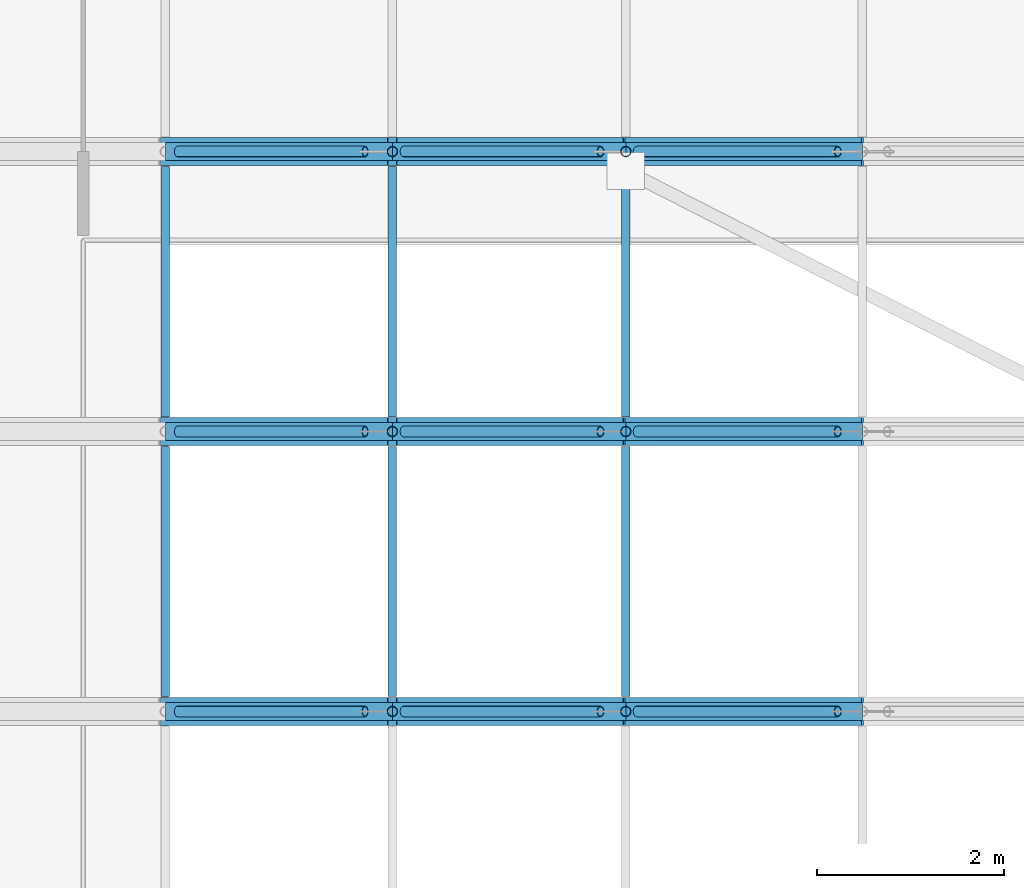
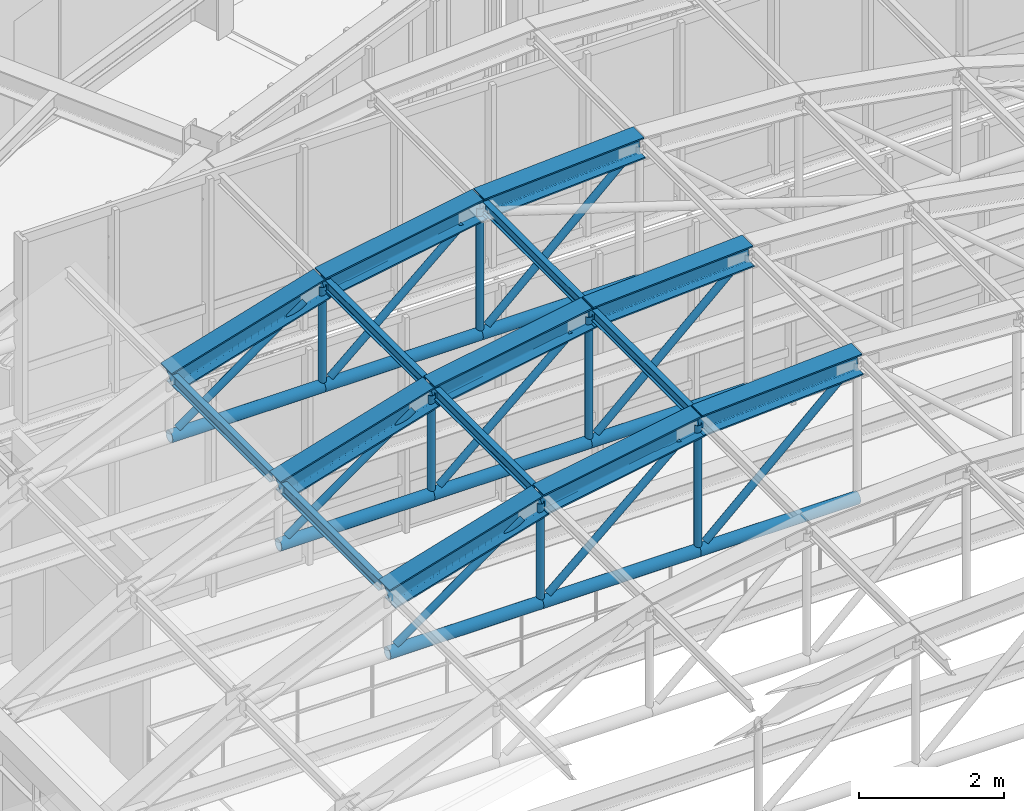
# One storey, part 64 of 148: 24 members, 15 beams.
"""IFC4 building model written with IfcOpenShell, lengths in metres."""

from ifc_helpers import new_model, si_unit, direction, frame, origin, origin_2d, place, context, subcontext, project, spatial, hollow_circle, i_section, extrude, material, material_profile, profile_set, type_object, element, save


model = new_model("IFC4")

# Units and contexts
model_context = context("Model", 3, precision=1e-05, world=origin(), true_north=direction((0.0, 1.0)))
body_context = subcontext(model_context, "Body", "Model", "MODEL_VIEW")
ifc_project = project(units=[si_unit("LENGTHUNIT", "METRE"), si_unit("AREAUNIT", "SQUARE_METRE"), si_unit("VOLUMEUNIT", "CUBIC_METRE"), si_unit("PLANEANGLEUNIT", "RADIAN"), si_unit("MASSUNIT", "GRAM", prefix="KILO"), si_unit("THERMODYNAMICTEMPERATUREUNIT", "KELVIN"), si_unit("POWERUNIT", "WATT")], contexts=[model_context])

# Site, building, storey
site_placement = place(None, origin())
site = spatial("IfcSite", under=ifc_project, at=site_placement, CompositionType="ELEMENT")
building_placement = place(site_placement, origin())
building = spatial("IfcBuilding", under=site, at=building_placement, Name="Solvatero Civic Police Headquarters", CompositionType="ELEMENT")
storey_placement = place(building_placement, frame((0.0, 0.0, 5.10009765625)))
storey = spatial("IfcBuildingStorey", under=building, at=storey_placement, Name="L01", CompositionType="ELEMENT", Elevation=5.10009765625)

# Beams
ifc_material = material(Name="Steel S355", Category="steel")
ifc_material_profile_1 = material_profile(ifc_material, i_section(OverallWidth=0.300048828125, OverallDepth=0.360107421875, WebThickness=0.012451171875, FlangeThickness=0.0224609375, FilletRadius=0.027099609375, at=origin_2d()), Name="HEB 360")
ifc_profile_set_1 = profile_set([ifc_material_profile_1], Name="Steel S355")
beam_type_1 = type_object("IfcBeamType", Name="BM-ST-HEB360", PredefinedType="BEAM", material=ifc_profile_set_1)
for number, where, z_axis, x_axis, name in (
    (1, (69.330078125, 53.5, 6.125), (0.957813056997, 0.0, 0.287391975958), (0.0, 1.0, 0.0), "VLT2 Tied-Arch Vault Top Chord F5.3"),
    (2, (71.762939453125, 53.5, 6.86474609375), (0.984749672323, 0.0, 0.173977248112), (0.0, 1.0, 0.0), "VLT2 Tied-Arch Vault Top Chord F5.4"),
):
    element("IfcBeam", number, at=place(storey_placement, frame(where, z_axis=z_axis, x_axis=x_axis)), inside=storey, type_object=beam_type_1, Name=name, PredefinedType="BEAM", context=body_context, shape_type="SweptSolid", body=[
        extrude(i_section(OverallWidth=0.300048828125, OverallDepth=0.360107421875, WebThickness=0.012451171875, FlangeThickness=0.0224609375, FilletRadius=0.027099609375, at=origin_2d()), origin(), (0.0, 0.0, 1.0), 2.5400390625),
    ])
beam_1_placement = place(storey_placement, frame((74.26416015625, 53.5, 7.311279296875), z_axis=(0.9983024287, 0.0, 0.058243118494), x_axis=(0.0, 1.0, 0.0)))
element("IfcBeam", 3, at=beam_1_placement, inside=storey, type_object=beam_type_1, Name="VLT2 Tied-Arch Vault Top Chord F5.5", PredefinedType="BEAM", context=body_context, shape_type="SweptSolid", body=[
    extrude(i_section(OverallWidth=0.300048828125, OverallDepth=0.360107421875, WebThickness=0.012451171875, FlangeThickness=0.0224609375, FilletRadius=0.027099609375, at=origin_2d()), origin(), (0.0, 0.0, 1.0), 2.540283203125),
])
for number, where, z_axis, x_axis, name in (
    (4, (69.330078125, 56.5, 6.125), (0.957813056997, 0.0, 0.287391975958), (0.0, 1.0, 0.0), "VLT2 Tied-Arch Vault Top Chord F6.3"),
    (5, (71.762939453125, 56.5, 6.86474609375), (0.984749672323, 0.0, 0.173977248112), (0.0, 1.0, 0.0), "VLT2 Tied-Arch Vault Top Chord F6.4"),
):
    element("IfcBeam", number, at=place(storey_placement, frame(where, z_axis=z_axis, x_axis=x_axis)), inside=storey, type_object=beam_type_1, Name=name, PredefinedType="BEAM", context=body_context, shape_type="SweptSolid", body=[
        extrude(i_section(OverallWidth=0.300048828125, OverallDepth=0.360107421875, WebThickness=0.012451171875, FlangeThickness=0.0224609375, FilletRadius=0.027099609375, at=origin_2d()), origin(), (0.0, 0.0, 1.0), 2.5400390625),
    ])
beam_2_placement = place(storey_placement, frame((74.26416015625, 56.5, 7.311279296875), z_axis=(0.9983024287, 0.0, 0.058243118494), x_axis=(0.0, 1.0, 0.0)))
element("IfcBeam", 6, at=beam_2_placement, inside=storey, type_object=beam_type_1, Name="VLT2 Tied-Arch Vault Top Chord F6.5", PredefinedType="BEAM", context=body_context, shape_type="SweptSolid", body=[
    extrude(i_section(OverallWidth=0.300048828125, OverallDepth=0.360107421875, WebThickness=0.012451171875, FlangeThickness=0.0224609375, FilletRadius=0.027099609375, at=origin_2d()), origin(), (0.0, 0.0, 1.0), 2.540283203125),
])
for number, where, z_axis, x_axis, name in (
    (7, (69.330078125, 59.5, 6.125), (0.957813056997, 0.0, 0.287391975958), (0.0, 1.0, 0.0), "VLT2 Tied-Arch Vault Top Chord F7.3"),
    (8, (71.762939453125, 59.5, 6.86474609375), (0.984749672323, 0.0, 0.173977248112), (0.0, 1.0, 0.0), "VLT2 Tied-Arch Vault Top Chord F7.4"),
):
    element("IfcBeam", number, at=place(storey_placement, frame(where, z_axis=z_axis, x_axis=x_axis)), inside=storey, type_object=beam_type_1, Name=name, PredefinedType="BEAM", context=body_context, shape_type="SweptSolid", body=[
        extrude(i_section(OverallWidth=0.300048828125, OverallDepth=0.360107421875, WebThickness=0.012451171875, FlangeThickness=0.0224609375, FilletRadius=0.027099609375, at=origin_2d()), origin(), (0.0, 0.0, 1.0), 2.5400390625),
    ])
beam_3_placement = place(storey_placement, frame((74.26416015625, 59.5, 7.311279296875), z_axis=(0.9983024287, 0.0, 0.058243118494), x_axis=(0.0, 1.0, 0.0)))
element("IfcBeam", 9, at=beam_3_placement, inside=storey, type_object=beam_type_1, Name="VLT2 Tied-Arch Vault Top Chord F7.5", PredefinedType="BEAM", context=body_context, shape_type="SweptSolid", body=[
    extrude(i_section(OverallWidth=0.300048828125, OverallDepth=0.360107421875, WebThickness=0.012451171875, FlangeThickness=0.0224609375, FilletRadius=0.027099609375, at=origin_2d()), origin(), (0.0, 0.0, 1.0), 2.540283203125),
])
ifc_material_profile_2 = material_profile(ifc_material, i_section(OverallWidth=0.091064453125, OverallDepth=0.179931640625, WebThickness=0.00537109375, FlangeThickness=0.008056640625, FilletRadius=0.009033203125, at=origin_2d()), Name="IPE 180")
ifc_profile_set_2 = profile_set([ifc_material_profile_2], Name="Steel S355")
beam_type_2 = type_object("IfcBeamType", Name="BM-ST-IPE180", PredefinedType="JOIST", material=ifc_profile_set_2)
for number, where, z_axis, x_axis, name in (
    (10, (69.330078125, 53.657958984375, 6.19091796875), (0.0, 1.0, 0.0), (-1.0, 0.0, 0.0), "VLT2 Vault Roof Purlin B5.2"),
    (11, (71.762939453125, 53.657958984375, 6.927978515625), (0.0, 1.0, 0.0), (-1.0, 0.0, 0.0), "VLT2 Vault Roof Purlin B5.3"),
    (12, (74.26416015625, 53.657958984375, 7.37451171875), (0.0, 1.0, 0.0), (-1.0, 0.0, 0.0), "VLT2 Vault Roof Purlin B5.4"),
    (13, (69.330078125, 56.657958984375, 6.19091796875), (0.0, 1.0, 0.0), (-1.0, 0.0, 0.0), "VLT2 Vault Roof Purlin B6.2"),
    (14, (71.762939453125, 56.657958984375, 6.927978515625), (0.0, 1.0, 0.0), (-1.0, 0.0, 0.0), "VLT2 Vault Roof Purlin B6.3"),
    (15, (74.26416015625, 56.657958984375, 7.37451171875), (0.0, 1.0, 0.0), (-1.0, 0.0, 0.0), "VLT2 Vault Roof Purlin B6.4"),
):
    element("IfcBeam", number, at=place(storey_placement, frame(where, z_axis=z_axis, x_axis=x_axis)), inside=storey, type_object=beam_type_2, Name=name, PredefinedType="JOIST", context=body_context, shape_type="SweptSolid", body=[
        extrude(i_section(OverallWidth=0.091064453125, OverallDepth=0.179931640625, WebThickness=0.00537109375, FlangeThickness=0.008056640625, FilletRadius=0.009033203125, at=origin_2d()), origin(), (0.0, 0.0, 1.0), 2.68408203125),
    ])

# Members
ifc_material_profile_3 = material_profile(ifc_material, hollow_circle(Radius=0.05712890625, WallThickness=0.008056640625, at=origin_2d()), Name="CHS 114.3x8.0")
ifc_profile_set_3 = profile_set([ifc_material_profile_3], Name="Steel S355")
member_type_1 = type_object("IfcMemberType", Name="MB-HNG-CHS114", PredefinedType="STRUT", material=ifc_profile_set_3)
member_1_placement = place(storey_placement, frame((69.460205078125, 53.5, 5.229248046875), z_axis=(0.813733471207, 0.0, 0.581238193719), x_axis=(0.0, 1.0, 0.0)))
element("IfcMember", 16, at=member_1_placement, inside=storey, type_object=member_type_1, Name="VLT2 Vault Truss Diagonal Web F5.2", PredefinedType="STRUT", context=body_context, shape_type="SweptSolid", body=[
    extrude(hollow_circle(Radius=0.05712890625, WallThickness=0.008056640625, at=origin_2d()), origin(), (0.0, 0.0, 1.0), 2.4697265625),
])
member_2_placement = place(storey_placement, frame((71.883544921875, 53.5, 5.2412109375), z_axis=(0.753915676924, 0.0, 0.656971195783), x_axis=(0.0, 1.0, 0.0)))
element("IfcMember", 17, at=member_2_placement, inside=storey, type_object=member_type_1, Name="VLT2 Vault Truss Diagonal Web F5.3", PredefinedType="STRUT", context=body_context, shape_type="SweptSolid", body=[
    extrude(hollow_circle(Radius=0.05712890625, WallThickness=0.008056640625, at=origin_2d()), origin(), (0.0, 0.0, 1.0), 2.7978515625),
])
member_3_placement = place(storey_placement, frame((74.382080078125, 53.5, 5.244384765625), z_axis=(0.736703146359, 0.0, 0.676216292428), x_axis=(0.0, 1.0, 0.0)))
element("IfcMember", 18, at=member_3_placement, inside=storey, type_object=member_type_1, Name="VLT2 Vault Truss Diagonal Web F5.4", PredefinedType="STRUT", context=body_context, shape_type="SweptSolid", body=[
    extrude(hollow_circle(Radius=0.05712890625, WallThickness=0.008056640625, at=origin_2d()), origin(), (0.0, 0.0, 1.0), 2.92236328125),
])
member_4_placement = place(storey_placement, frame((71.762939453125, 53.5, 5.17626953125), z_axis=(0.0, 0.0, 1.0), x_axis=(1.0, 0.0, 0.0)))
element("IfcMember", 19, at=member_4_placement, inside=storey, type_object=member_type_1, Name="VLT2 Vault Vertical Hanger F5.3", PredefinedType="STRUT", context=body_context, shape_type="SweptSolid", body=[
    extrude(hollow_circle(Radius=0.05712890625, WallThickness=0.008056640625, at=origin_2d()), origin(), (0.0, 0.0, 1.0), 1.647705078125),
])
member_5_placement = place(storey_placement, frame((74.26416015625, 53.5, 5.17626953125), z_axis=(0.0, 0.0, 1.0), x_axis=(1.0, 0.0, 0.0)))
element("IfcMember", 20, at=member_5_placement, inside=storey, type_object=member_type_1, Name="VLT2 Vault Vertical Hanger F5.4", PredefinedType="STRUT", context=body_context, shape_type="SweptSolid", body=[
    extrude(hollow_circle(Radius=0.05712890625, WallThickness=0.008056640625, at=origin_2d()), origin(), (0.0, 0.0, 1.0), 2.089599609375),
])
member_6_placement = place(storey_placement, frame((69.460205078125, 56.5, 5.229248046875), z_axis=(0.813733471207, 0.0, 0.581238193719), x_axis=(0.0, 1.0, 0.0)))
element("IfcMember", 21, at=member_6_placement, inside=storey, type_object=member_type_1, Name="VLT2 Vault Truss Diagonal Web F6.2", PredefinedType="STRUT", context=body_context, shape_type="SweptSolid", body=[
    extrude(hollow_circle(Radius=0.05712890625, WallThickness=0.008056640625, at=origin_2d()), origin(), (0.0, 0.0, 1.0), 2.4697265625),
])
member_7_placement = place(storey_placement, frame((71.883544921875, 56.5, 5.2412109375), z_axis=(0.753915676924, 0.0, 0.656971195783), x_axis=(0.0, 1.0, 0.0)))
element("IfcMember", 22, at=member_7_placement, inside=storey, type_object=member_type_1, Name="VLT2 Vault Truss Diagonal Web F6.3", PredefinedType="STRUT", context=body_context, shape_type="SweptSolid", body=[
    extrude(hollow_circle(Radius=0.05712890625, WallThickness=0.008056640625, at=origin_2d()), origin(), (0.0, 0.0, 1.0), 2.7978515625),
])
member_8_placement = place(storey_placement, frame((74.382080078125, 56.5, 5.244384765625), z_axis=(0.736703146359, 0.0, 0.676216292428), x_axis=(0.0, 1.0, 0.0)))
element("IfcMember", 23, at=member_8_placement, inside=storey, type_object=member_type_1, Name="VLT2 Vault Truss Diagonal Web F6.4", PredefinedType="STRUT", context=body_context, shape_type="SweptSolid", body=[
    extrude(hollow_circle(Radius=0.05712890625, WallThickness=0.008056640625, at=origin_2d()), origin(), (0.0, 0.0, 1.0), 2.92236328125),
])
member_9_placement = place(storey_placement, frame((71.762939453125, 56.5, 5.17626953125), z_axis=(0.0, 0.0, 1.0), x_axis=(1.0, 0.0, 0.0)))
element("IfcMember", 24, at=member_9_placement, inside=storey, type_object=member_type_1, Name="VLT2 Vault Vertical Hanger F6.3", PredefinedType="STRUT", context=body_context, shape_type="SweptSolid", body=[
    extrude(hollow_circle(Radius=0.05712890625, WallThickness=0.008056640625, at=origin_2d()), origin(), (0.0, 0.0, 1.0), 1.647705078125),
])
member_10_placement = place(storey_placement, frame((74.26416015625, 56.5, 5.17626953125), z_axis=(0.0, 0.0, 1.0), x_axis=(1.0, 0.0, 0.0)))
element("IfcMember", 25, at=member_10_placement, inside=storey, type_object=member_type_1, Name="VLT2 Vault Vertical Hanger F6.4", PredefinedType="STRUT", context=body_context, shape_type="SweptSolid", body=[
    extrude(hollow_circle(Radius=0.05712890625, WallThickness=0.008056640625, at=origin_2d()), origin(), (0.0, 0.0, 1.0), 2.089599609375),
])
member_11_placement = place(storey_placement, frame((69.460205078125, 59.5, 5.229248046875), z_axis=(0.813733471207, 0.0, 0.581238193719), x_axis=(0.0, 1.0, 0.0)))
element("IfcMember", 26, at=member_11_placement, inside=storey, type_object=member_type_1, Name="VLT2 Vault Truss Diagonal Web F7.2", PredefinedType="STRUT", context=body_context, shape_type="SweptSolid", body=[
    extrude(hollow_circle(Radius=0.05712890625, WallThickness=0.008056640625, at=origin_2d()), origin(), (0.0, 0.0, 1.0), 2.4697265625),
])
member_12_placement = place(storey_placement, frame((71.883544921875, 59.5, 5.2412109375), z_axis=(0.753915676924, 0.0, 0.656971195783), x_axis=(0.0, 1.0, 0.0)))
element("IfcMember", 27, at=member_12_placement, inside=storey, type_object=member_type_1, Name="VLT2 Vault Truss Diagonal Web F7.3", PredefinedType="STRUT", context=body_context, shape_type="SweptSolid", body=[
    extrude(hollow_circle(Radius=0.05712890625, WallThickness=0.008056640625, at=origin_2d()), origin(), (0.0, 0.0, 1.0), 2.7978515625),
])
member_13_placement = place(storey_placement, frame((74.382080078125, 59.5, 5.244384765625), z_axis=(0.736703146359, 0.0, 0.676216292428), x_axis=(0.0, 1.0, 0.0)))
element("IfcMember", 28, at=member_13_placement, inside=storey, type_object=member_type_1, Name="VLT2 Vault Truss Diagonal Web F7.4", PredefinedType="STRUT", context=body_context, shape_type="SweptSolid", body=[
    extrude(hollow_circle(Radius=0.05712890625, WallThickness=0.008056640625, at=origin_2d()), origin(), (0.0, 0.0, 1.0), 2.92236328125),
])
member_14_placement = place(storey_placement, frame((71.762939453125, 59.5, 5.17626953125), z_axis=(0.0, 0.0, 1.0), x_axis=(1.0, 0.0, 0.0)))
element("IfcMember", 29, at=member_14_placement, inside=storey, type_object=member_type_1, Name="VLT2 Vault Vertical Hanger F7.3", PredefinedType="STRUT", context=body_context, shape_type="SweptSolid", body=[
    extrude(hollow_circle(Radius=0.05712890625, WallThickness=0.008056640625, at=origin_2d()), origin(), (0.0, 0.0, 1.0), 1.647705078125),
])
member_15_placement = place(storey_placement, frame((74.26416015625, 59.5, 5.17626953125), z_axis=(0.0, 0.0, 1.0), x_axis=(1.0, 0.0, 0.0)))
element("IfcMember", 30, at=member_15_placement, inside=storey, type_object=member_type_1, Name="VLT2 Vault Vertical Hanger F7.4", PredefinedType="STRUT", context=body_context, shape_type="SweptSolid", body=[
    extrude(hollow_circle(Radius=0.05712890625, WallThickness=0.008056640625, at=origin_2d()), origin(), (0.0, 0.0, 1.0), 2.089599609375),
])
ifc_material_profile_4 = material_profile(ifc_material, hollow_circle(Radius=0.096923828125, WallThickness=0.010009765625, at=origin_2d()), Name="CHS 193.7x10.0")
ifc_profile_set_4 = profile_set([ifc_material_profile_4], Name="Steel S355")
member_type_2 = type_object("IfcMemberType", Name="MB-TIE-CHS194", PredefinedType="CHORD", material=ifc_profile_set_4)
member_16_placement = place(storey_placement, frame((69.330078125, 53.5, 5.13623046875), z_axis=(1.0, 0.0, 0.0), x_axis=(0.0, 1.0, 0.0)))
element("IfcMember", 31, at=member_16_placement, inside=storey, type_object=member_type_2, Name="VLT2 Vault Horizontal Tie Chord F5.2", PredefinedType="CHORD", context=body_context, shape_type="SweptSolid", body=[
    extrude(hollow_circle(Radius=0.096923828125, WallThickness=0.010009765625, at=origin_2d()), origin(), (0.0, 0.0, 1.0), 2.432861328125),
])
member_17_placement = place(storey_placement, frame((71.762939453125, 53.5, 5.13623046875), z_axis=(1.0, 0.0, 0.0), x_axis=(0.0, 1.0, 0.0)))
element("IfcMember", 32, at=member_17_placement, inside=storey, type_object=member_type_2, Name="VLT2 Vault Horizontal Tie Chord F5.3", PredefinedType="CHORD", context=body_context, shape_type="SweptSolid", body=[
    extrude(hollow_circle(Radius=0.096923828125, WallThickness=0.010009765625, at=origin_2d()), origin(), (0.0, 0.0, 1.0), 2.501220703125),
])
member_18_placement = place(storey_placement, frame((74.26416015625, 53.5, 5.13623046875), z_axis=(1.0, 0.0, 0.0), x_axis=(0.0, 1.0, 0.0)))
element("IfcMember", 33, at=member_18_placement, inside=storey, type_object=member_type_2, Name="VLT2 Vault Horizontal Tie Chord F5.4", PredefinedType="CHORD", context=body_context, shape_type="SweptSolid", body=[
    extrude(hollow_circle(Radius=0.096923828125, WallThickness=0.010009765625, at=origin_2d()), origin(), (0.0, 0.0, 1.0), 2.535888671875),
])
member_19_placement = place(storey_placement, frame((69.330078125, 56.5, 5.13623046875), z_axis=(1.0, 0.0, 0.0), x_axis=(0.0, 1.0, 0.0)))
element("IfcMember", 34, at=member_19_placement, inside=storey, type_object=member_type_2, Name="VLT2 Vault Horizontal Tie Chord F6.2", PredefinedType="CHORD", context=body_context, shape_type="SweptSolid", body=[
    extrude(hollow_circle(Radius=0.096923828125, WallThickness=0.010009765625, at=origin_2d()), origin(), (0.0, 0.0, 1.0), 2.432861328125),
])
member_20_placement = place(storey_placement, frame((71.762939453125, 56.5, 5.13623046875), z_axis=(1.0, 0.0, 0.0), x_axis=(0.0, 1.0, 0.0)))
element("IfcMember", 35, at=member_20_placement, inside=storey, type_object=member_type_2, Name="VLT2 Vault Horizontal Tie Chord F6.3", PredefinedType="CHORD", context=body_context, shape_type="SweptSolid", body=[
    extrude(hollow_circle(Radius=0.096923828125, WallThickness=0.010009765625, at=origin_2d()), origin(), (0.0, 0.0, 1.0), 2.501220703125),
])
member_21_placement = place(storey_placement, frame((74.26416015625, 56.5, 5.13623046875), z_axis=(1.0, 0.0, 0.0), x_axis=(0.0, 1.0, 0.0)))
element("IfcMember", 36, at=member_21_placement, inside=storey, type_object=member_type_2, Name="VLT2 Vault Horizontal Tie Chord F6.4", PredefinedType="CHORD", context=body_context, shape_type="SweptSolid", body=[
    extrude(hollow_circle(Radius=0.096923828125, WallThickness=0.010009765625, at=origin_2d()), origin(), (0.0, 0.0, 1.0), 2.535888671875),
])
member_22_placement = place(storey_placement, frame((69.330078125, 59.5, 5.13623046875), z_axis=(1.0, 0.0, 0.0), x_axis=(0.0, 1.0, 0.0)))
element("IfcMember", 37, at=member_22_placement, inside=storey, type_object=member_type_2, Name="VLT2 Vault Horizontal Tie Chord F7.2", PredefinedType="CHORD", context=body_context, shape_type="SweptSolid", body=[
    extrude(hollow_circle(Radius=0.096923828125, WallThickness=0.010009765625, at=origin_2d()), origin(), (0.0, 0.0, 1.0), 2.432861328125),
])
member_23_placement = place(storey_placement, frame((71.762939453125, 59.5, 5.13623046875), z_axis=(1.0, 0.0, 0.0), x_axis=(0.0, 1.0, 0.0)))
element("IfcMember", 38, at=member_23_placement, inside=storey, type_object=member_type_2, Name="VLT2 Vault Horizontal Tie Chord F7.3", PredefinedType="CHORD", context=body_context, shape_type="SweptSolid", body=[
    extrude(hollow_circle(Radius=0.096923828125, WallThickness=0.010009765625, at=origin_2d()), origin(), (0.0, 0.0, 1.0), 2.501220703125),
])
member_24_placement = place(storey_placement, frame((74.26416015625, 59.5, 5.13623046875), z_axis=(1.0, 0.0, 0.0), x_axis=(0.0, 1.0, 0.0)))
element("IfcMember", 39, at=member_24_placement, inside=storey, type_object=member_type_2, Name="VLT2 Vault Horizontal Tie Chord F7.4", PredefinedType="CHORD", context=body_context, shape_type="SweptSolid", body=[
    extrude(hollow_circle(Radius=0.096923828125, WallThickness=0.010009765625, at=origin_2d()), origin(), (0.0, 0.0, 1.0), 2.535888671875),
])

save(model, "model.ifc")
